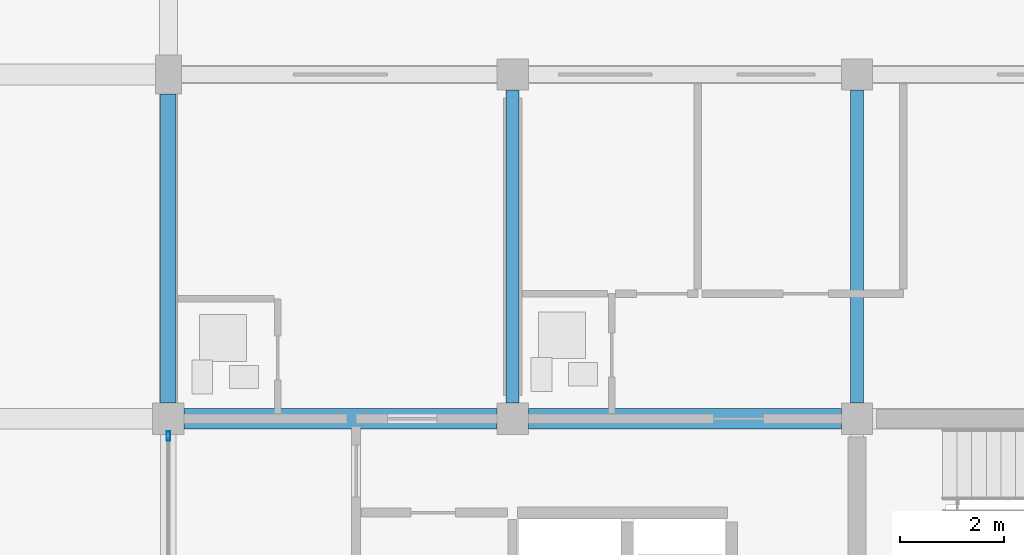
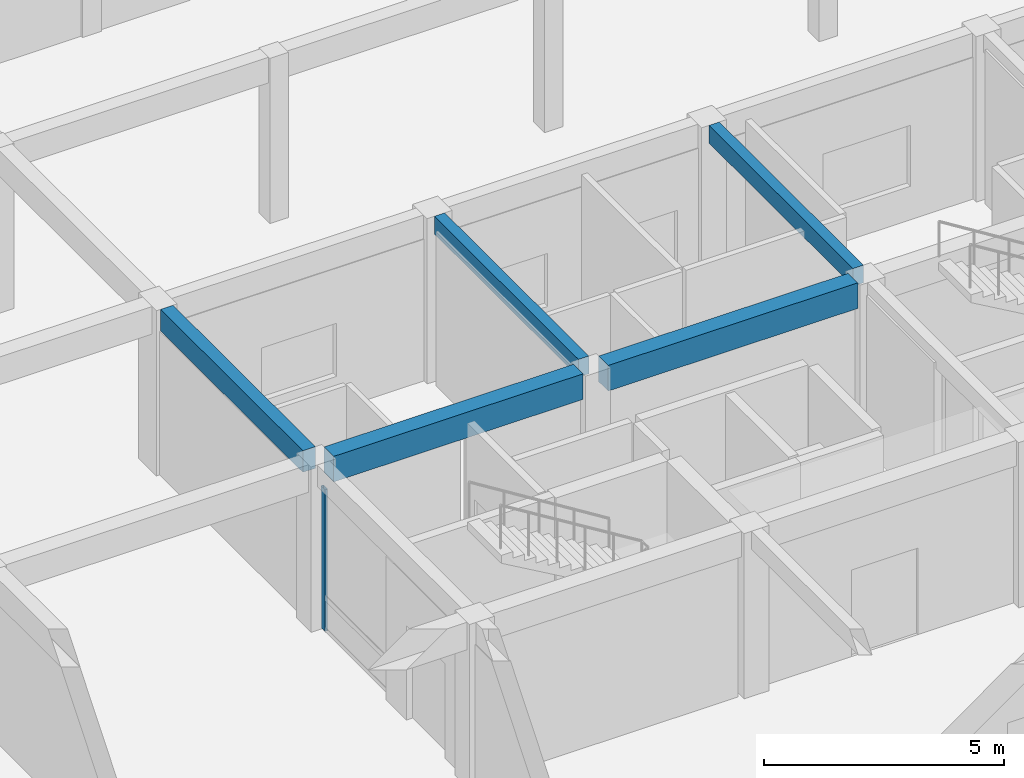
# One storey, part 28 of 75: 5 beams, 1 member, 1 element without a shape of its own.
"""IFC4 building model written with IfcOpenShell, lengths in metres."""

from ifc_helpers import new_model, si_unit, direction, frame, origin, origin_2d, place, context, subcontext, project, spatial, rectangle, hollow_rectangle, extrude, material, material_profile, profile_set, type_object, element, aggregate, save


model = new_model("IFC4")

# Units and contexts
model_context = context("Model", 3, precision=1e-05, world=origin(), true_north=direction((0.0, 1.0)))
body_context = subcontext(model_context, "Body", "Model", "MODEL_VIEW")
ifc_project = project(units=[si_unit("LENGTHUNIT", "METRE"), si_unit("AREAUNIT", "SQUARE_METRE"), si_unit("VOLUMEUNIT", "CUBIC_METRE"), si_unit("PLANEANGLEUNIT", "RADIAN"), si_unit("MASSUNIT", "GRAM", prefix="KILO")], contexts=[model_context])

# Site, building, storey
site_placement = place(None, origin())
site = spatial("IfcSite", under=ifc_project, at=site_placement, CompositionType="ELEMENT")
building_placement = place(site_placement, origin())
building = spatial("IfcBuilding", under=site, at=building_placement, Name="Kernevlak Ridge Housing Community", CompositionType="ELEMENT")
storey_placement = place(building_placement, origin())
storey = spatial("IfcBuildingStorey", under=building, at=storey_placement, Name="L00", CompositionType="ELEMENT", Elevation=0.0)

# Beams
ifc_material_1 = material(Name="Concrete C35/45", Category="concrete")
ifc_material_profile_1 = material_profile(ifc_material_1, rectangle(XDim=0.39990234375, YDim=0.64990234375, at=origin_2d()), Name="RC 400x650")
ifc_profile_set_1 = profile_set([ifc_material_profile_1], Name="Concrete C35/45")
beam_type_1 = type_object("IfcBeamType", Name="B-03", PredefinedType="T_BEAM", material=ifc_profile_set_1)
for number, where, z_axis, x_axis, name in (
    (1, (15.89990234375, 89.199951171875, 3.875), (1.0, 0.0, 0.0), (0.0, 1.0, 0.0), "Beam B-03 L00 47"),
    (2, (22.5, 89.199951171875, 3.875), (1.0, 0.0, 0.0), (0.0, 1.0, 0.0), "Beam B-03 L00 48"),
):
    element("IfcBeam", number, at=place(storey_placement, frame(where, z_axis=z_axis, x_axis=x_axis)), inside=storey, type_object=beam_type_1, Name=name, PredefinedType="T_BEAM", context=body_context, shape_type="SweptSolid", body=[
        extrude(rectangle(XDim=0.39990234375, YDim=0.64990234375, at=origin_2d()), origin(), (0.0, 0.0, 1.0), 6.0),
    ])
ifc_material_profile_2 = material_profile(ifc_material_1, rectangle(XDim=0.25, YDim=0.449951171875, at=origin_2d()), Name="RC 250x450")
ifc_profile_set_2 = profile_set([ifc_material_profile_2], Name="Concrete C35/45")
beam_type_2 = type_object("IfcBeamType", Name="B-04", PredefinedType="T_BEAM", material=ifc_profile_set_2)
for number, where, z_axis, x_axis, name in (
    (3, (22.199951171875, 89.5, 3.97509765625), (0.0, 1.0, 0.0), (-1.0, 0.0, 0.0), "Beam B-04 L00 61"),
    (4, (28.800048828125, 89.5, 3.97509765625), (0.0, 1.0, 0.0), (-1.0, 0.0, 0.0), "Beam B-04 L00 64"),
):
    element("IfcBeam", number, at=place(storey_placement, frame(where, z_axis=z_axis, x_axis=x_axis)), inside=storey, type_object=beam_type_2, Name=name, PredefinedType="T_BEAM", context=body_context, shape_type="SweptSolid", body=[
        extrude(rectangle(XDim=0.25, YDim=0.449951171875, at=origin_2d()), origin(), (0.0, 0.0, 1.0), 6.0),
    ])

# Curtain wall, member
ifc_material_2 = material(Name="Aluminium EN AW-6060 anodised and laminated glass", Category="aluminium")
curtain_wall_type = type_object("IfcCurtainWallType", Name="CW-07", PredefinedType="NOTDEFINED", material=ifc_material_2)
curtain_wall_placement = place(storey_placement, origin())
curtain_wall = element("IfcCurtainWall", 5, at=curtain_wall_placement, inside=storey, type_object=curtain_wall_type, Name="Curtain wall CW-07 CW-L00-002", PredefinedType="NOTDEFINED")
ifc_material_3 = material(Name="Aluminium EN AW-6060 anodised", Category="aluminium")
ifc_material_profile_3 = material_profile(ifc_material_3, hollow_rectangle(XDim=0.06494140625, YDim=0.179931640625, WallThickness=0.00439453125, InnerFilletRadius=0.001953125, OuterFilletRadius=0.00439453125, at=origin_2d()), Name="ALU 65x180x4.5")
ifc_profile_set_3 = profile_set([ifc_material_profile_3], Name="Aluminium EN AW-6060 anodised")
member_type = type_object("IfcMemberType", Name="MU-03", PredefinedType="MULLION", material=ifc_profile_set_3)
member_placement = place(storey_placement, frame((15.60009765625, 88.867431640625, 0.0), z_axis=(0.0, 0.0, 1.0), x_axis=(-1.0, 0.0, 0.0)))
member = element("IfcMember", 6, at=member_placement, type_object=member_type, Name="CW-07 mullion 2", PredefinedType="MULLION", context=body_context, shape_type="SweptSolid", body=[
    extrude(hollow_rectangle(XDim=0.06494140625, YDim=0.179931640625, WallThickness=0.00439453125, InnerFilletRadius=0.001953125, OuterFilletRadius=0.00439453125, at=origin_2d()), origin(), (0.0, 0.0, 1.0), 3.60009765625),
])
aggregate(curtain_wall, [member])

# Beam
ifc_material_profile_4 = material_profile(ifc_material_1, rectangle(XDim=0.300048828125, YDim=0.550048828125, at=origin_2d()), Name="RC 300x550")
ifc_profile_set_4 = profile_set([ifc_material_profile_4], Name="Concrete C35/45")
beam_type_3 = type_object("IfcBeamType", Name="SP-01", PredefinedType="SPANDREL", material=ifc_profile_set_4)
beam_placement = place(storey_placement, frame((15.60009765625, 89.5, 3.925048828125), z_axis=(0.0, 1.0, 0.0), x_axis=(-1.0, 0.0, 0.0)))
element("IfcBeam", 7, at=beam_placement, inside=storey, type_object=beam_type_3, Name="Beam SP-01 L00 59", PredefinedType="SPANDREL", context=body_context, shape_type="SweptSolid", body=[
    extrude(rectangle(XDim=0.300048828125, YDim=0.550048828125, at=origin_2d()), origin(), (0.0, 0.0, 1.0), 5.925048828125),
])

save(model, "model.ifc")
